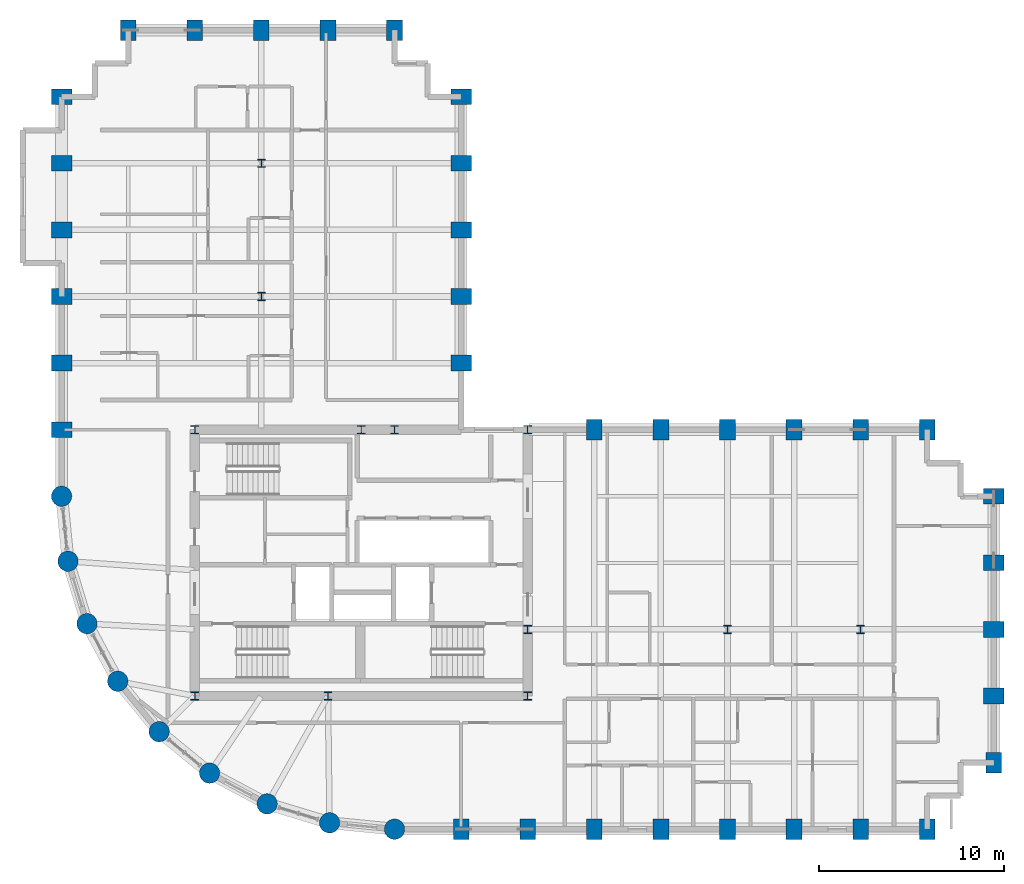
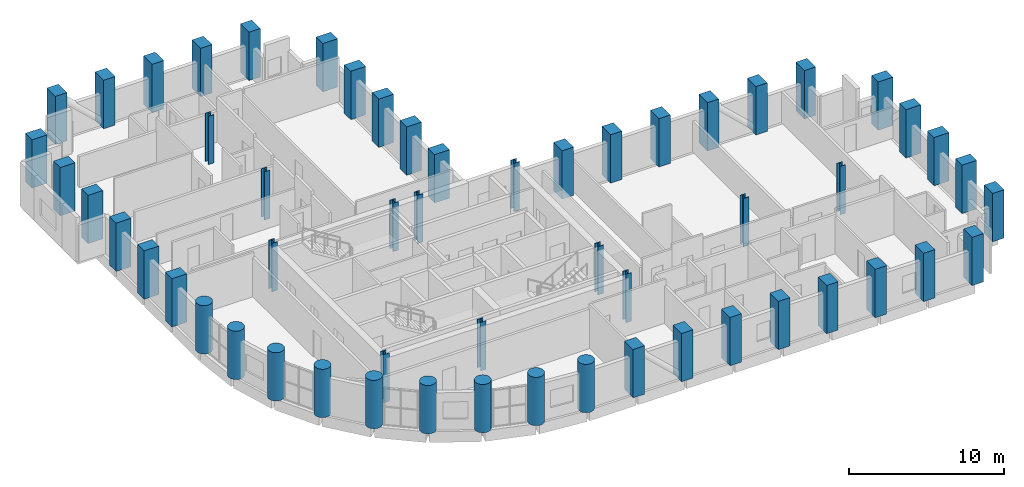
# One storey, part 1 of 13: 56 columns.
"""IFC4 building model written with IfcOpenShell, lengths in metres."""

from ifc_helpers import new_model, si_unit, direction, frame, origin, origin_2d, place, context, subcontext, project, spatial, rectangle, circle, i_section, extrude, material, material_profile, profile_set, type_object, element, save


model = new_model("IFC4")

# Units and contexts
model_context = context("Model", 3, precision=1e-05, world=origin(), true_north=direction((0.0, 1.0)))
body_context = subcontext(model_context, "Body", "Model", "MODEL_VIEW")
ifc_project = project(units=[si_unit("LENGTHUNIT", "METRE"), si_unit("AREAUNIT", "SQUARE_METRE"), si_unit("VOLUMEUNIT", "CUBIC_METRE"), si_unit("PLANEANGLEUNIT", "RADIAN"), si_unit("MASSUNIT", "GRAM", prefix="KILO")], contexts=[model_context])

# Site, building, storey
site_placement = place(None, origin())
site = spatial("IfcSite", under=ifc_project, at=site_placement, CompositionType="ELEMENT")
building_placement = place(site_placement, origin())
building = spatial("IfcBuilding", under=site, at=building_placement, Name="Solnavia Interchange Tower", CompositionType="ELEMENT")
storey_placement = place(building_placement, frame((0.0, 0.0, 123.800048828125)))
storey = spatial("IfcBuildingStorey", under=building, at=storey_placement, Name="L30", CompositionType="ELEMENT", Elevation=123.800048828125)

# Columns
ifc_material_1 = material(Name="Concrete C50/60", Category="concrete")
ifc_material_profile_1 = material_profile(ifc_material_1, rectangle(XDim=0.85009765625, YDim=1.10009765625, at=origin_2d()), Name="RC 1100x850")
ifc_profile_set_1 = profile_set([ifc_material_profile_1], Name="Concrete C50/60")
column_type_1 = type_object("IfcColumnType", Name="Col-RC-1100x850", PredefinedType="COLUMN", material=ifc_profile_set_1)
for number, where, z_axis, x_axis, name in (
    (1, (7.199951171875, 25.199951171875, 0.0), (0.0, 0.0, 1.0), (0.0, 1.0, 0.0), "COL-L30-02 Tower perim y column"),
    (2, (7.199951171875, 28.800048828125, 0.0), (0.0, 0.0, 1.0), (0.0, 1.0, 0.0), "COL-L30-03 Tower perim y column"),
    (3, (7.199951171875, 32.39990234375, 0.0), (0.0, 0.0, 1.0), (0.0, 1.0, 0.0), "COL-L30-04 Tower perim y column"),
    (4, (7.199951171875, 36.0, 0.0), (0.0, 0.0, 1.0), (0.0, 1.0, 0.0), "COL-L30-05 Tower perim y column"),
    (5, (7.199951171875, 39.60009765625, 0.0), (0.0, 0.0, 1.0), (0.0, 1.0, 0.0), "COL-L30-06 Tower perim y column"),
    (6, (7.199951171875, 43.199951171875, 0.0), (0.0, 0.0, 1.0), (0.0, 1.0, 0.0), "COL-L30-07 Tower corner column"),
    (7, (10.800048828125, 46.800048828125, 0.0), (0.0, 0.0, 1.0), (1.0, 0.0, 0.0), "COL-L30-11 Tower corner column"),
    (8, (14.39990234375, 46.800048828125, 0.0), (0.0, 0.0, 1.0), (1.0, 0.0, 0.0), "COL-L30-15 Tower perim x column"),
    (9, (18.0, 46.800048828125, 0.0), (0.0, 0.0, 1.0), (1.0, 0.0, 0.0), "COL-L30-19 Tower perim x column"),
    (10, (21.60009765625, 46.800048828125, 0.0), (0.0, 0.0, 1.0), (1.0, 0.0, 0.0), "COL-L30-22 Tower perim x column"),
    (11, (25.199951171875, 46.800048828125, 0.0), (0.0, 0.0, 1.0), (1.0, 0.0, 0.0), "COL-L30-27 Tower corner column"),
    (12, (28.800048828125, 3.60009765625, 0.0), (0.0, 0.0, 1.0), (1.0, 0.0, 0.0), "COL-L30-28 Tower perim x column"),
    (13, (28.800048828125, 28.800048828125, 0.0), (0.0, 0.0, 1.0), (0.0, 1.0, 0.0), "COL-L30-29 Tower perim y column"),
    (14, (28.800048828125, 32.39990234375, 0.0), (0.0, 0.0, 1.0), (0.0, 1.0, 0.0), "COL-L30-30 Tower perim y column"),
    (15, (28.800048828125, 36.0, 0.0), (0.0, 0.0, 1.0), (0.0, 1.0, 0.0), "COL-L30-31 Tower perim y column"),
    (16, (28.800048828125, 39.60009765625, 0.0), (0.0, 0.0, 1.0), (0.0, 1.0, 0.0), "COL-L30-32 Tower perim y column"),
    (17, (28.800048828125, 43.199951171875, 0.0), (0.0, 0.0, 1.0), (0.0, 1.0, 0.0), "COL-L30-33 Tower corner column"),
    (18, (32.39990234375, 3.60009765625, 0.0), (0.0, 0.0, 1.0), (1.0, 0.0, 0.0), "COL-L30-34 Tower perim x column"),
    (19, (36.0, 3.60009765625, 0.0), (0.0, 0.0, 1.0), (1.0, 0.0, 0.0), "COL-L30-38 Tower perim x column"),
    (20, (36.0, 25.199951171875, 0.0), (0.0, 0.0, 1.0), (1.0, 0.0, 0.0), "COL-L30-39 Tower perim x column"),
    (21, (39.60009765625, 3.60009765625, 0.0), (0.0, 0.0, 1.0), (1.0, 0.0, 0.0), "COL-L30-40 Tower perim x column"),
    (22, (39.60009765625, 25.199951171875, 0.0), (0.0, 0.0, 1.0), (1.0, 0.0, 0.0), "COL-L30-41 Tower perim x column"),
    (23, (43.199951171875, 3.60009765625, 0.0), (0.0, 0.0, 1.0), (1.0, 0.0, 0.0), "COL-L30-42 Tower perim x column"),
    (24, (43.199951171875, 25.199951171875, 0.0), (0.0, 0.0, 1.0), (1.0, 0.0, 0.0), "COL-L30-44 Tower perim x column"),
    (25, (46.800048828125, 3.60009765625, 0.0), (0.0, 0.0, 1.0), (1.0, 0.0, 0.0), "COL-L30-45 Tower perim x column"),
    (26, (46.800048828125, 25.199951171875, 0.0), (0.0, 0.0, 1.0), (1.0, 0.0, 0.0), "COL-L30-46 Tower perim x column"),
    (27, (50.39990234375, 3.60009765625, 0.0), (0.0, 0.0, 1.0), (1.0, 0.0, 0.0), "COL-L30-47 Tower perim x column"),
    (28, (50.39990234375, 25.199951171875, 0.0), (0.0, 0.0, 1.0), (1.0, 0.0, 0.0), "COL-L30-49 Tower perim x column"),
    (29, (54.0, 3.60009765625, 0.0), (0.0, 0.0, 1.0), (1.0, 0.0, 0.0), "COL-L30-50 Tower corner column"),
    (30, (54.0, 25.199951171875, 0.0), (0.0, 0.0, 1.0), (1.0, 0.0, 0.0), "COL-L30-51 Tower corner column"),
    (31, (57.60009765625, 7.199951171875, 0.0), (0.0, 0.0, 1.0), (1.0, 0.0, 0.0), "COL-L30-52 Tower corner column"),
    (32, (57.60009765625, 10.800048828125, 0.0), (0.0, 0.0, 1.0), (0.0, 1.0, 0.0), "COL-L30-53 Tower perim y column"),
    (33, (57.60009765625, 14.39990234375, 0.0), (0.0, 0.0, 1.0), (0.0, 1.0, 0.0), "COL-L30-54 Tower perim y column"),
    (34, (57.60009765625, 18.0, 0.0), (0.0, 0.0, 1.0), (0.0, 1.0, 0.0), "COL-L30-55 Tower perim y column"),
    (35, (57.60009765625, 21.60009765625, 0.0), (0.0, 0.0, 1.0), (0.0, 1.0, 0.0), "COL-L30-56 Tower corner column"),
):
    element("IfcColumn", number, at=place(storey_placement, frame(where, z_axis=z_axis, x_axis=x_axis)), inside=storey, type_object=column_type_1, Name=name, PredefinedType="COLUMN", context=body_context, shape_type="SweptSolid", body=[
        extrude(rectangle(XDim=0.85009765625, YDim=1.10009765625, at=origin_2d()), origin(), (0.0, 0.0, 1.0), 3.800048828125),
    ])
ifc_material_2 = material(Name="Concrete C60/75", Category="concrete")
ifc_material_profile_2 = material_profile(ifc_material_2, circle(Radius=0.550048828125, at=origin_2d()), Name="RC D1100")
ifc_profile_set_2 = profile_set([ifc_material_profile_2], Name="Concrete C60/75")
column_type_2 = type_object("IfcColumnType", Name="Col-RC-D1100", PredefinedType="COLUMN", material=ifc_profile_set_2)
for number, where, z_axis, x_axis, name in (
    (36, (7.199951171875, 21.60009765625, 0.0), (0.0, 0.0, 1.0), (1.0, 0.0, 0.0), "COL-L30-01 Tower drum column"),
    (37, (7.5458984375, 18.087890625, 0.0), (0.0, 0.0, 1.0), (1.0, 0.0, 0.0), "COL-L30-08 Tower drum column"),
    (38, (8.570068359375, 14.7119140625, 0.0), (0.0, 0.0, 1.0), (1.0, 0.0, 0.0), "COL-L30-09 Tower drum column"),
    (39, (10.23388671875, 11.60009765625, 0.0), (0.0, 0.0, 1.0), (1.0, 0.0, 0.0), "COL-L30-10 Tower drum column"),
    (40, (12.471923828125, 8.8720703125, 0.0), (0.0, 0.0, 1.0), (1.0, 0.0, 0.0), "COL-L30-12 Tower drum column"),
    (41, (15.199951171875, 6.634033203125, 0.0), (0.0, 0.0, 1.0), (1.0, 0.0, 0.0), "COL-L30-16 Tower drum column"),
    (42, (18.31201171875, 4.969970703125, 0.0), (0.0, 0.0, 1.0), (1.0, 0.0, 0.0), "COL-L30-20 Tower drum column"),
    (43, (21.68798828125, 3.946044921875, 0.0), (0.0, 0.0, 1.0), (1.0, 0.0, 0.0), "COL-L30-23 Tower drum column"),
    (44, (25.199951171875, 3.60009765625, 0.0), (0.0, 0.0, 1.0), (1.0, 0.0, 0.0), "COL-L30-25 Tower drum column"),
):
    element("IfcColumn", number, at=place(storey_placement, frame(where, z_axis=z_axis, x_axis=x_axis)), inside=storey, type_object=column_type_2, Name=name, PredefinedType="COLUMN", context=body_context, shape_type="SweptSolid", body=[
        extrude(circle(Radius=0.550048828125, at=origin_2d()), origin(), (0.0, 0.0, 1.0), 3.800048828125),
    ])
ifc_material_3 = material(Name="Steel S355", Category="steel")
ifc_material_profile_3 = material_profile(ifc_material_3, i_section(OverallWidth=0.416015625, OverallDepth=0.44189453125, WebThickness=0.02490234375, FlangeThickness=0.041015625, FilletRadius=0.014892578125, at=origin_2d()), Name="HD 400x382")
ifc_profile_set_3 = profile_set([ifc_material_profile_3], Name="Steel S355")
column_type_3 = type_object("IfcColumnType", Name="Col-Steel-HD400x382", PredefinedType="COLUMN", material=ifc_profile_set_3)
for number, where, z_axis, x_axis, name in (
    (45, (14.39990234375, 10.800048828125, 0.0), (0.0, 0.0, 1.0), (1.0, 0.0, 0.0), "COL-L30-13 Tower interior column"),
    (46, (14.39990234375, 25.199951171875, 0.0), (0.0, 0.0, 1.0), (1.0, 0.0, 0.0), "COL-L30-14 Tower interior column"),
    (47, (18.0, 32.39990234375, 0.0), (0.0, 0.0, 1.0), (1.0, 0.0, 0.0), "COL-L30-17 Tower interior column"),
    (48, (18.0, 39.60009765625, 0.0), (0.0, 0.0, 1.0), (1.0, 0.0, 0.0), "COL-L30-18 Tower interior column"),
    (49, (21.60009765625, 10.800048828125, 0.0), (0.0, 0.0, 1.0), (1.0, 0.0, 0.0), "COL-L30-21 Tower interior column"),
    (50, (23.39990234375, 25.199951171875, 0.0), (0.0, 0.0, 1.0), (1.0, 0.0, 0.0), "COL-L30-24 Tower interior column"),
    (51, (25.199951171875, 25.199951171875, 0.0), (0.0, 0.0, 1.0), (1.0, 0.0, 0.0), "COL-L30-26 Tower interior column"),
    (52, (32.39990234375, 10.800048828125, 0.0), (0.0, 0.0, 1.0), (1.0, 0.0, 0.0), "COL-L30-35 Tower interior column"),
    (53, (32.39990234375, 14.39990234375, 0.0), (0.0, 0.0, 1.0), (1.0, 0.0, 0.0), "COL-L30-36 Tower interior column"),
    (54, (32.39990234375, 25.199951171875, 0.0), (0.0, 0.0, 1.0), (1.0, 0.0, 0.0), "COL-L30-37 Tower interior column"),
    (55, (43.199951171875, 14.39990234375, 0.0), (0.0, 0.0, 1.0), (1.0, 0.0, 0.0), "COL-L30-43 Tower interior column"),
    (56, (50.39990234375, 14.39990234375, 0.0), (0.0, 0.0, 1.0), (1.0, 0.0, 0.0), "COL-L30-48 Tower interior column"),
):
    element("IfcColumn", number, at=place(storey_placement, frame(where, z_axis=z_axis, x_axis=x_axis)), inside=storey, type_object=column_type_3, Name=name, PredefinedType="COLUMN", context=body_context, shape_type="SweptSolid", body=[
        extrude(i_section(OverallWidth=0.416015625, OverallDepth=0.44189453125, WebThickness=0.02490234375, FlangeThickness=0.041015625, FilletRadius=0.014892578125, at=origin_2d()), origin(), (0.0, 0.0, 1.0), 3.800048828125),
    ])

save(model, "model.ifc")
